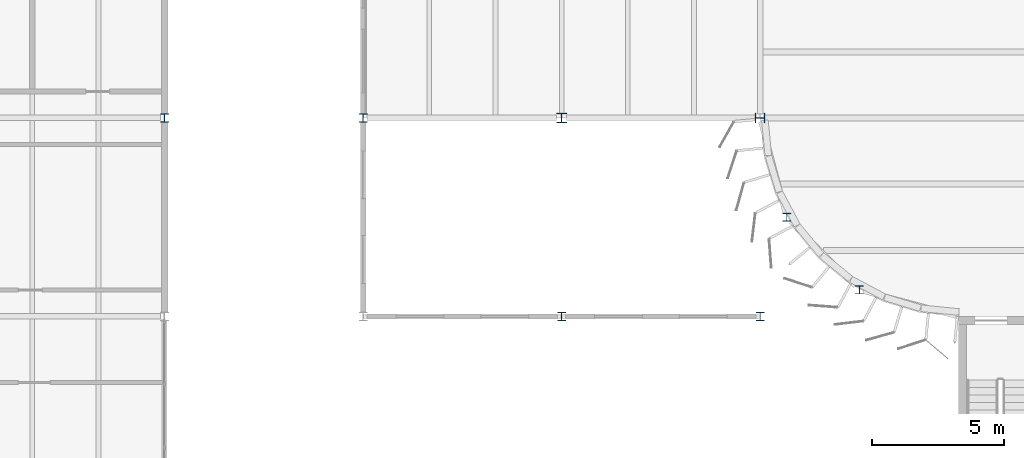
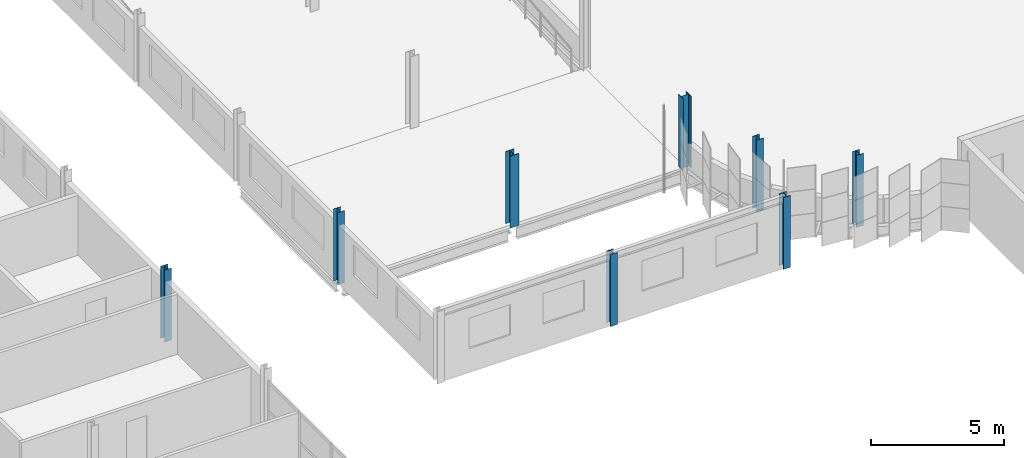
# One storey, part 22 of 214: 8 columns.
"""IFC4 building model written with IfcOpenShell, lengths in metres."""

from ifc_helpers import new_model, si_unit, direction, frame, origin, origin_2d, place, context, subcontext, project, spatial, i_section, extrude, material, material_profile, profile_set, type_object, element, save


model = new_model("IFC4")

# Units and contexts
model_context = context("Model", 3, precision=1e-05, world=origin(), true_north=direction((0.0, 1.0)))
body_context = subcontext(model_context, "Body", "Model", "MODEL_VIEW")
ifc_project = project(units=[si_unit("LENGTHUNIT", "METRE"), si_unit("AREAUNIT", "SQUARE_METRE"), si_unit("VOLUMEUNIT", "CUBIC_METRE"), si_unit("PLANEANGLEUNIT", "RADIAN"), si_unit("MASSUNIT", "GRAM", prefix="KILO")], contexts=[model_context])

# Site, building, storey
site_placement = place(None, origin())
site = spatial("IfcSite", under=ifc_project, at=site_placement, CompositionType="ELEMENT")
building_placement = place(site_placement, origin())
building = spatial("IfcBuilding", under=site, at=building_placement, Name="Parallax Yard Mobility Hub", CompositionType="ELEMENT")
storey_placement = place(building_placement, frame((0.0, 0.0, 3.300048828125)))
storey = spatial("IfcBuildingStorey", under=building, at=storey_placement, Name="L01", CompositionType="ELEMENT", Elevation=3.300048828125)

# Columns
ifc_material = material(Name="Steel ASTM A992", Category="steel")
ifc_material_profile_1 = material_profile(ifc_material, i_section(OverallWidth=0.304931640625, OverallDepth=0.306884765625, WebThickness=0.010009765625, FlangeThickness=0.015380859375, FilletRadius=0.01513671875, at=origin_2d()), Name="W310x97")
ifc_profile_set_1 = profile_set([ifc_material_profile_1], Name="Steel ASTM A992")
column_type_1 = type_object("IfcColumnType", Name="W310x97 column", PredefinedType="COLUMN", material=ifc_profile_set_1)
for number, where, z_axis, x_axis, name in (
    (1, (180.0, 30.0, 0.0), (0.0, 0.0, 1.0), (1.0, 0.0, 0.0), "Column C1 level L01 at E/25 of ramp house"),
    (2, (187.5, 22.5, 0.0), (0.0, 0.0, 1.0), (1.0, 0.0, 0.0), "Column C1 level L01 at D/26 of ramp house"),
    (3, (195.0, 22.5, 0.0), (0.0, 0.0, 1.0), (1.0, 0.0, 0.0), "Column C1 level L01 at D/27 of ramp house"),
    (4, (196.0048828125, 26.25, 0.0), (0.0, 0.0, 1.0), (1.0, 0.0, 0.0), "Column C1 level L01 at S-W1 of ramped parking decks"),
    (5, (198.75, 23.5048828125, 0.0), (0.0, 0.0, 1.0), (1.0, 0.0, 0.0), "Column C1 level L01 at S-W2 of ramped parking decks"),
    (6, (172.5, 30.0, 0.0), (0.0, 0.0, 1.0), (1.0, 0.0, 0.0), "Column C1 level L01 at E/24 of bicycle and shared-mobility hall"),
):
    element("IfcColumn", number, at=place(storey_placement, frame(where, z_axis=z_axis, x_axis=x_axis)), inside=storey, type_object=column_type_1, Name=name, PredefinedType="COLUMN", context=body_context, shape_type="SweptSolid", body=[
        extrude(i_section(OverallWidth=0.304931640625, OverallDepth=0.306884765625, WebThickness=0.010009765625, FlangeThickness=0.015380859375, FilletRadius=0.01513671875, at=origin_2d()), origin(), (0.0, 0.0, 1.0), 3.300048828125),
    ])
ifc_material_profile_2 = material_profile(ifc_material, i_section(OverallWidth=0.367919921875, OverallDepth=0.35595703125, WebThickness=0.01123046875, FlangeThickness=0.01806640625, FilletRadius=0.015380859375, at=origin_2d()), Name="W360x134")
ifc_profile_set_2 = profile_set([ifc_material_profile_2], Name="Steel ASTM A992")
column_type_2 = type_object("IfcColumnType", Name="W360x134 column", PredefinedType="COLUMN", material=ifc_profile_set_2)
column_1_placement = place(storey_placement, frame((195.0, 30.0, 0.0), z_axis=(0.0, 0.0, 1.0), x_axis=(0.0, 1.0, 0.0)))
element("IfcColumn", 7, at=column_1_placement, inside=storey, type_object=column_type_2, Name="Column C4 level L01 at E/27 of ramped parking decks", PredefinedType="COLUMN", context=body_context, shape_type="SweptSolid", body=[
    extrude(i_section(OverallWidth=0.367919921875, OverallDepth=0.35595703125, WebThickness=0.01123046875, FlangeThickness=0.01806640625, FilletRadius=0.015380859375, at=origin_2d()), origin(), (0.0, 0.0, 1.0), 3.300048828125),
])
ifc_material_profile_3 = material_profile(ifc_material, i_section(OverallWidth=0.373046875, OverallDepth=0.367919921875, WebThickness=0.014892578125, FlangeThickness=0.02392578125, FilletRadius=0.01513671875, at=origin_2d()), Name="W360x179")
ifc_profile_set_3 = profile_set([ifc_material_profile_3], Name="Steel ASTM A992")
column_type_3 = type_object("IfcColumnType", Name="W360x179 column", PredefinedType="COLUMN", material=ifc_profile_set_3)
column_2_placement = place(storey_placement, frame((187.5, 30.0, 0.0), z_axis=(0.0, 0.0, 1.0), x_axis=(1.0, 0.0, 0.0)))
element("IfcColumn", 8, at=column_2_placement, inside=storey, type_object=column_type_3, Name="Column C7 level L01 at E/26 of ramp house", PredefinedType="COLUMN", context=body_context, shape_type="SweptSolid", body=[
    extrude(i_section(OverallWidth=0.373046875, OverallDepth=0.367919921875, WebThickness=0.014892578125, FlangeThickness=0.02392578125, FilletRadius=0.01513671875, at=origin_2d()), origin(), (0.0, 0.0, 1.0), 3.300048828125),
])

save(model, "model.ifc")
